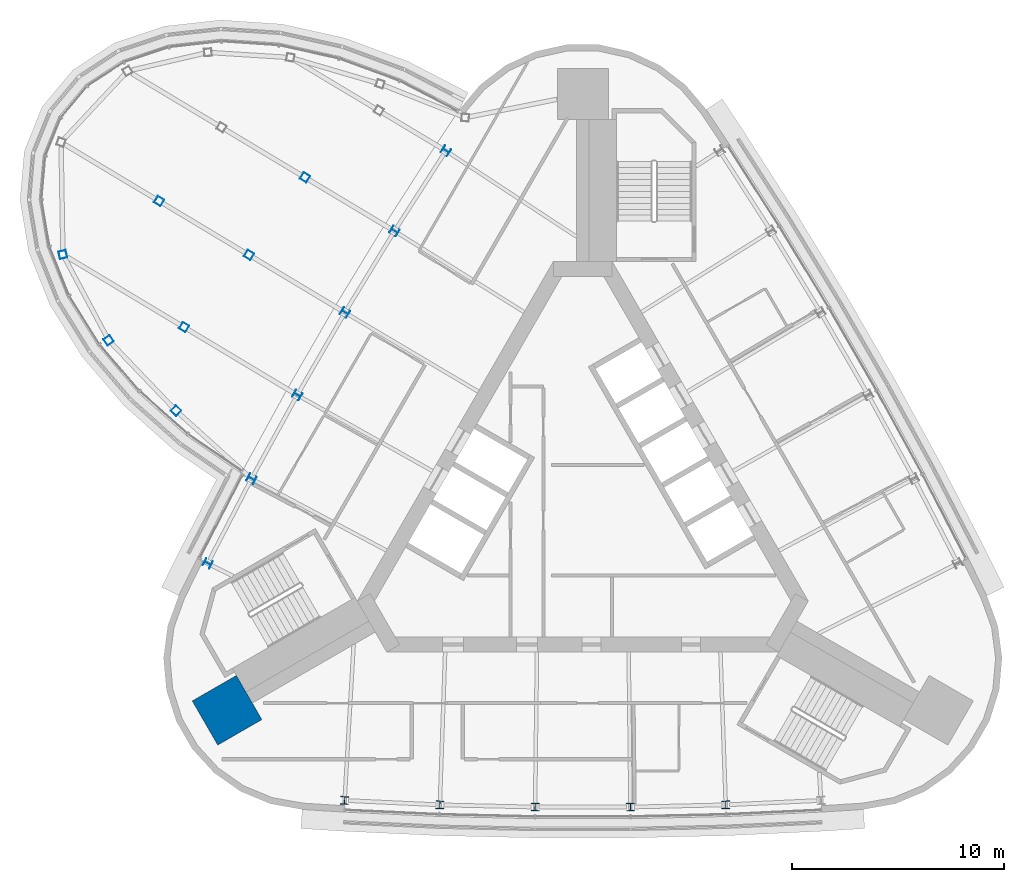
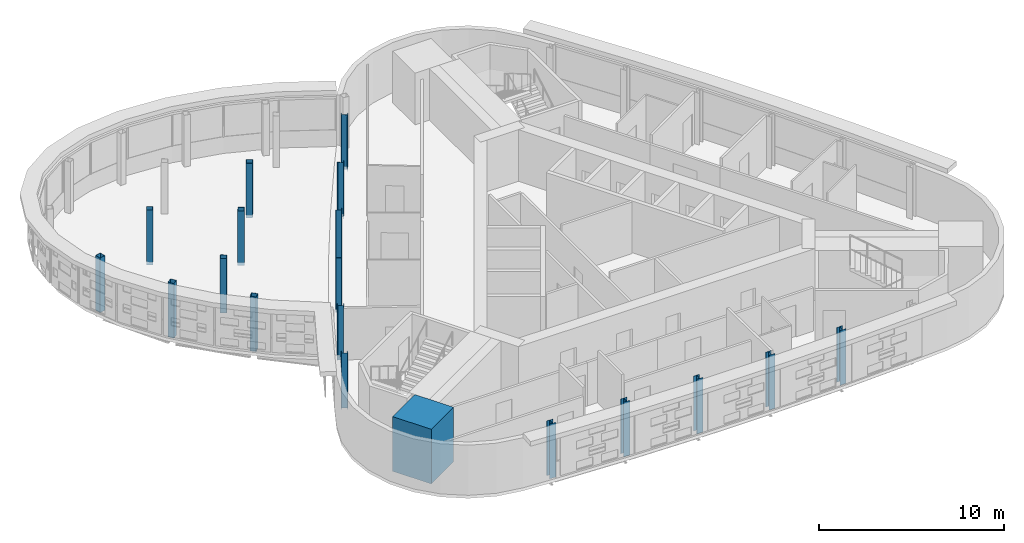
# One storey, part 1 of 13: 19 columns.
"""IFC4 building model written with IfcOpenShell, lengths in metres."""

from ifc_helpers import new_model, si_unit, direction, frame, origin, origin_2d, place, context, subcontext, project, spatial, rectangle, hollow_rectangle, i_section, extrude, material, material_profile, profile_set, type_object, element, save


model = new_model("IFC4")

# Units and contexts
model_context = context("Model", 3, precision=1e-05, world=origin(), true_north=direction((0.0, 1.0)))
body_context = subcontext(model_context, "Body", "Model", "MODEL_VIEW")
ifc_project = project(units=[si_unit("LENGTHUNIT", "METRE"), si_unit("AREAUNIT", "SQUARE_METRE"), si_unit("VOLUMEUNIT", "CUBIC_METRE"), si_unit("PLANEANGLEUNIT", "RADIAN"), si_unit("MASSUNIT", "GRAM", prefix="KILO")], contexts=[model_context])

# Site, building, storey
site_placement = place(None, origin())
site = spatial("IfcSite", under=ifc_project, at=site_placement, CompositionType="ELEMENT")
building_placement = place(site_placement, origin())
building = spatial("IfcBuilding", under=site, at=building_placement, Name="Noor Cloister Tower", CompositionType="ELEMENT")
storey_placement = place(building_placement, frame((0.0, 0.0, 267.0)))
storey = spatial("IfcBuildingStorey", under=building, at=storey_placement, Name="L68", CompositionType="ELEMENT", Elevation=267.0)

# Columns
ifc_material_1 = material(Name="Steel ASTM A992 Gr 50", Category="steel")
ifc_material_profile_1 = material_profile(ifc_material_1, i_section(OverallWidth=0.37109375, OverallDepth=0.361083984375, WebThickness=0.01220703125, FlangeThickness=0.019775390625, FilletRadius=0.015380859375, at=origin_2d()), Name="W360x147")
ifc_profile_set_1 = profile_set([ifc_material_profile_1], Name="Steel ASTM A992 Gr 50")
column_type_1 = type_object("IfcColumnType", Name="Column W360x147", PredefinedType="COLUMN", material=ifc_profile_set_1)
for number, where, z_axis, x_axis, name in (
    (1, (-6.441650390625, 16.66552734375, -0.199951171875), (0.0, 0.0, 1.0), (-0.549344612048, -0.835595893488, 0.0), "Column NW 01 L68"),
    (2, (-8.863037109375, 12.8876953125, -0.199951171875), (0.0, 0.0, 1.0), (-0.529819164802, -0.84811063701, 0.0), "Column NW 02 L68"),
    (3, (-11.196044921875, 9.0546875, -0.199951171875), (0.0, 0.0, 1.0), (-0.51000874803, -0.860169214127, 0.0), "Column NW 03 L68"),
    (4, (-13.439697265625, 5.168701171875, -0.199951171875), (0.0, 0.0, 1.0), (-0.489924016972, -0.87176513901, 0.0), "Column NW 04 L68"),
    (5, (-15.592529296875, 1.231689453125, -0.199951171875), (0.0, 0.0, 1.0), (-0.469575774469, -0.882892174635, 0.0), "Column NW 05 L68"),
    (6, (-17.653564453125, -2.75390625, -0.199951171875), (0.0, 0.0, 1.0), (-0.448974965035, -0.893544336209, 0.0), "Column NW 06 L68"),
    (7, (-11.2119140625, -13.911376953125, -0.199951171875), (0.0, 0.0, 1.0), (0.998319577082, -0.057948442721, 0.0), "Column S 01 L68"),
    (8, (-6.7294921875, -14.119384765625, -0.199951171875), (0.0, 0.0, 1.0), (0.999394939271, -0.034781537625, 0.0), "Column S 02 L68"),
    (9, (-2.24365234375, -14.2236328125, -0.199951171875), (0.0, 0.0, 1.0), (0.999932765003, -0.011595924883, 0.0), "Column S 03 L68"),
    (10, (2.24365234375, -14.2236328125, -0.199951171875), (0.0, 0.0, 1.0), (0.999932765003, 0.011595924883, 0.0), "Column S 04 L68"),
    (11, (6.7294921875, -14.119384765625, -0.199951171875), (0.0, 0.0, 1.0), (0.999394939271, 0.034781537625, 0.0), "Column S 05 L68"),
):
    element("IfcColumn", number, at=place(storey_placement, frame(where, z_axis=z_axis, x_axis=x_axis)), inside=storey, type_object=column_type_1, Name=name, PredefinedType="COLUMN", context=body_context, shape_type="SweptSolid", body=[
        extrude(i_section(OverallWidth=0.37109375, OverallDepth=0.361083984375, WebThickness=0.01220703125, FlangeThickness=0.019775390625, FilletRadius=0.015380859375, at=origin_2d()), origin(), (0.0, 0.0, 1.0), 3.599853515625),
    ])
ifc_material_2 = material(Name="Concrete C60/75", Category="concrete")
ifc_material_profile_2 = material_profile(ifc_material_2, rectangle(XDim=2.39990234375, YDim=2.39990234375, at=origin_2d()), Name="RC 2400x2400")
ifc_profile_set_2 = profile_set([ifc_material_profile_2], Name="Concrete C60/75")
column_type_2 = type_object("IfcColumnType", Name="Corner pier 2400 x 2400 C60/75", PredefinedType="COLUMN", material=ifc_profile_set_2)
column_placement = place(storey_placement, frame((-16.74462890625, -9.66748046875, -0.199951171875), z_axis=(0.0, 0.0, 1.0), x_axis=(-0.866025403784, -0.5, 0.0)))
element("IfcColumn", 12, at=column_placement, inside=storey, type_object=column_type_2, Name="Corner pier SW L68", PredefinedType="COLUMN", context=body_context, shape_type="SweptSolid", body=[
    extrude(rectangle(XDim=2.39990234375, YDim=2.39990234375, at=origin_2d()), origin(), (0.0, 0.0, 1.0), 3.599853515625),
])
ifc_material_3 = material(Name="Steel ASTM A500 Gr C", Category="steel")
ifc_material_profile_3 = material_profile(ifc_material_3, hollow_rectangle(XDim=0.35595703125, YDim=0.35595703125, WallThickness=0.0126953125, at=origin_2d()), Name="HSS355.6x355.6x12.7")
ifc_profile_set_3 = profile_set([ifc_material_profile_3], Name="Steel ASTM A500 Gr C")
column_type_3 = type_object("IfcColumnType", Name="Pod post HSS355.6x355.6x12.7", PredefinedType="COLUMN", material=ifc_profile_set_3)
for number, where, z_axis, x_axis, name in (
    (13, (-13.078125, 15.416015625, -0.199951171875), (0.0, 0.0, 1.0), (-0.857566798966, 0.514372613299, 0.0), "Pod post 5 L68 line 2 node 1"),
    (14, (-15.7119140625, 11.763427734375, -0.199951171875), (0.0, 0.0, 1.0), (-0.857566798966, 0.514372613299, 0.0), "Pod post 5 L68 line 3 node 1"),
    (15, (-19.94140625, 14.30029296875, -0.199951171875), (0.0, 0.0, 1.0), (-0.857566798966, 0.514372613299, 0.0), "Pod post 5 L68 line 3 node 2"),
    (16, (-18.767578125, 8.364501953125, -0.199951171875), (0.0, 0.0, 1.0), (-0.857566798966, 0.514372613299, 0.0), "Pod post 5 L68 line 4 node 1"),
    (17, (-24.47216796875, 11.7861328125, -0.199951171875), (0.0, 0.0, 1.0), (0.233734517984, -0.972300455159, 0.0), "Pod post 5 L68 ring 8"),
    (18, (-22.318603515625, 7.746826171875, -0.199951171875), (0.0, 0.0, 1.0), (0.586560041974, -0.809905745849, 0.0), "Pod post 5 L68 ring 9"),
    (19, (-19.146728515625, 4.432861328125, -0.199951171875), (0.0, 0.0, 1.0), (0.71780948833, -0.696239569734, 0.0), "Pod post 5 L68 ring 10"),
):
    element("IfcColumn", number, at=place(storey_placement, frame(where, z_axis=z_axis, x_axis=x_axis)), inside=storey, type_object=column_type_3, Name=name, PredefinedType="COLUMN", context=body_context, shape_type="SweptSolid", body=[
        extrude(hollow_rectangle(XDim=0.35595703125, YDim=0.35595703125, WallThickness=0.0126953125, at=origin_2d()), origin(), (0.0, 0.0, 1.0), 3.599853515625),
    ])

save(model, "model.ifc")
